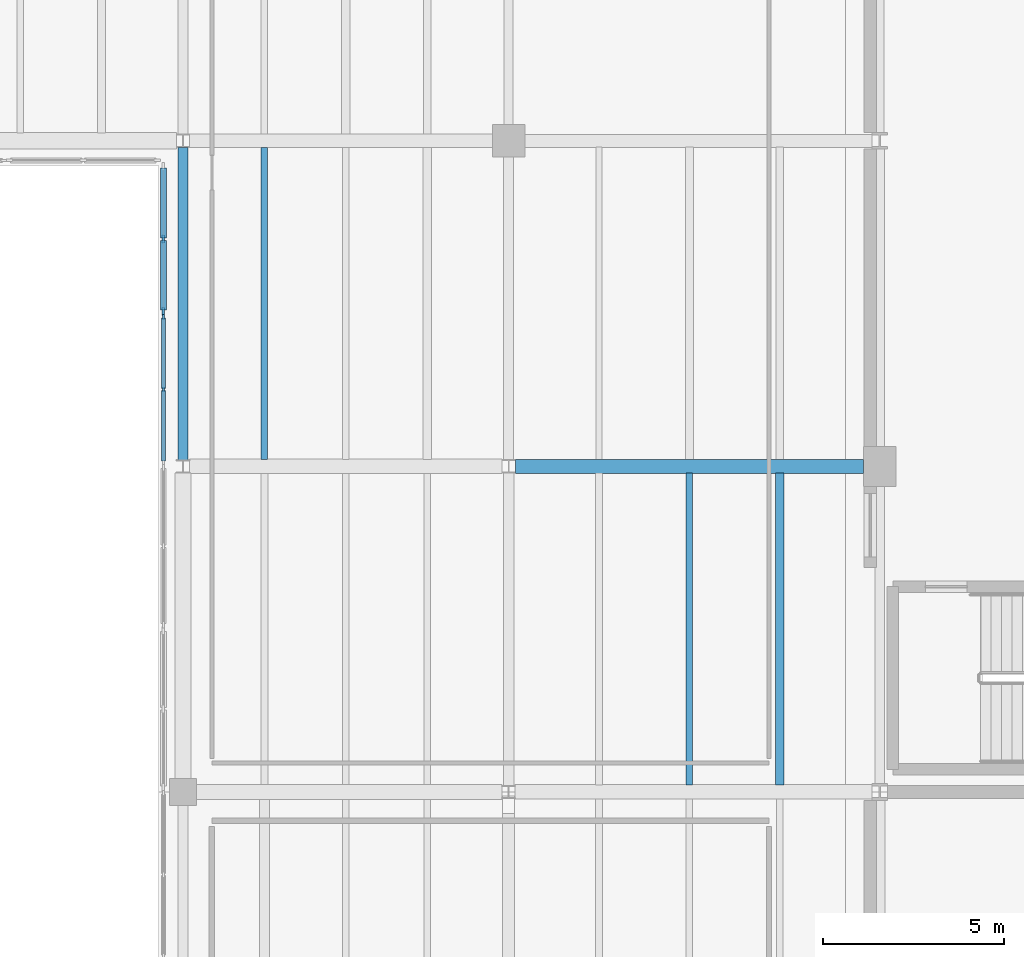
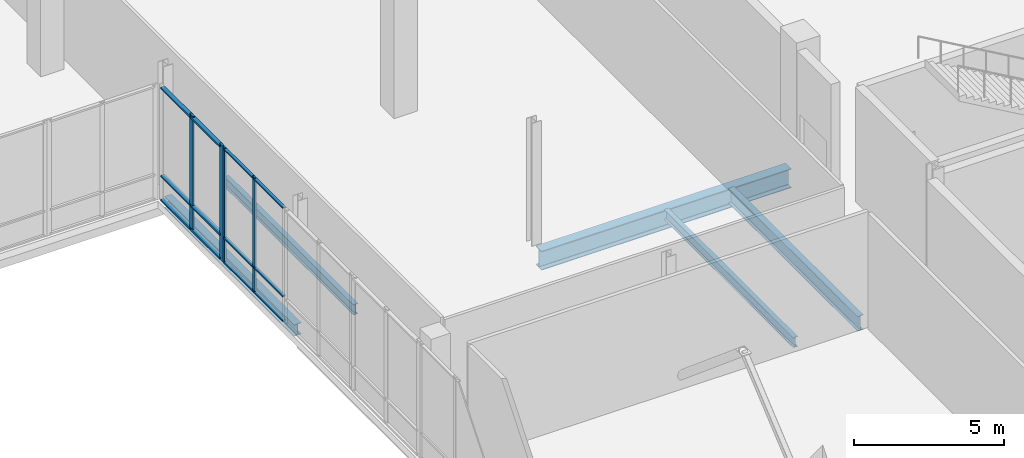
# One storey, part 27 of 60: 16 members, 5 beams, 2 elements without a shape of their own.
"""IFC4 building model written with IfcOpenShell, lengths in metres."""

from ifc_helpers import new_model, si_unit, direction, frame, origin, origin_2d, place, context, subcontext, project, spatial, rectangle, i_section, extrude, material, material_profile, profile_set, type_object, element, aggregate, save


model = new_model("IFC4")

# Units and contexts
model_context = context("Model", 3, precision=1e-05, world=origin(), true_north=direction((0.0, 1.0)))
body_context = subcontext(model_context, "Body", "Model", "MODEL_VIEW")
ifc_project = project(units=[si_unit("LENGTHUNIT", "METRE"), si_unit("AREAUNIT", "SQUARE_METRE"), si_unit("VOLUMEUNIT", "CUBIC_METRE"), si_unit("PLANEANGLEUNIT", "RADIAN"), si_unit("MASSUNIT", "GRAM", prefix="KILO")], contexts=[model_context])

# Site, building, storey
site_placement = place(None, origin())
site = spatial("IfcSite", under=ifc_project, at=site_placement, CompositionType="ELEMENT")
building_placement = place(site_placement, origin())
building = spatial("IfcBuilding", under=site, at=building_placement, Name="Trimount Lyric Opera House", CompositionType="ELEMENT")
storey_placement = place(building_placement, frame((0.0, 0.0, 15.0)))
storey = spatial("IfcBuildingStorey", under=building, at=storey_placement, Name="L03", CompositionType="ELEMENT", Elevation=15.0)

# Beams
ifc_material_1 = material(Name="Steel ASTM A992 Grade 50", Category="steel")
ifc_material_profile_1 = material_profile(ifc_material_1, i_section(OverallWidth=0.382080078125, OverallDepth=0.779052734375, WebThickness=0.01806640625, FlangeThickness=0.0302734375, FilletRadius=0.01904296875, at=origin_2d()), Name="W30X191")
ifc_profile_set_1 = profile_set([ifc_material_profile_1], Name="Steel ASTM A992 Grade 50")
beam_type_1 = type_object("IfcBeamType", Name="B-06", PredefinedType="BEAM", material=ifc_profile_set_1)
beam_1_placement = place(storey_placement, frame((54.1865234375, 93.0, -0.714599609375), z_axis=(1.0, 0.0, 0.0), x_axis=(0.0, 1.0, 0.0)))
element("IfcBeam", 1, at=beam_1_placement, inside=storey, type_object=beam_type_1, Name="L03 girder X-0995", PredefinedType="BEAM", context=body_context, shape_type="SweptSolid", body=[
    extrude(i_section(OverallWidth=0.382080078125, OverallDepth=0.779052734375, WebThickness=0.01806640625, FlangeThickness=0.0302734375, FilletRadius=0.01904296875, at=origin_2d()), origin(), (0.0, 0.0, 1.0), 9.62353515625),
])
ifc_material_2 = material(Name="Steel ASTM A992 Grade 50", Category="steel")
ifc_material_profile_2 = material_profile(ifc_material_2, i_section(OverallWidth=0.22802734375, OverallDepth=0.60205078125, WebThickness=0.010498046875, FlangeThickness=0.014892578125, FilletRadius=0.012939453125, at=origin_2d()), Name="W24X68")
ifc_profile_set_2 = profile_set([ifc_material_profile_2], Name="Steel ASTM A992 Grade 50")
beam_type_2 = type_object("IfcBeamType", Name="J-01", PredefinedType="BEAM", material=ifc_profile_set_2)
beam_2_placement = place(storey_placement, frame((61.5, 84.196533203125, -0.5810546875), z_axis=(0.0, 1.0, 0.0), x_axis=(-1.0, 0.0, 0.0)))
element("IfcBeam", 2, at=beam_2_placement, inside=storey, type_object=beam_type_2, Name="L03 composite floor joist 1070", PredefinedType="BEAM", context=body_context, shape_type="SweptSolid", body=[
    extrude(i_section(OverallWidth=0.22802734375, OverallDepth=0.60205078125, WebThickness=0.010498046875, FlangeThickness=0.014892578125, FilletRadius=0.012939453125, at=origin_2d()), origin(), (0.0, 0.0, 1.0), 8.616455078125),
])
ifc_material_3 = material(Name="Steel ASTM A992 Grade 50", Category="steel")
ifc_material_profile_3 = material_profile(ifc_material_3, i_section(OverallWidth=0.180908203125, OverallDepth=0.4169921875, WebThickness=0.010986328125, FlangeThickness=0.018310546875, FilletRadius=0.010986328125, at=origin_2d()), Name="W16X57")
ifc_profile_set_3 = profile_set([ifc_material_profile_3], Name="Steel ASTM A992 Grade 50")
beam_type_3 = type_object("IfcBeamType", Name="J-05", PredefinedType="BEAM", material=ifc_profile_set_3)
beam_3_placement = place(storey_placement, frame((47.25, 93.196533203125, -0.488525390625), z_axis=(0.0, 1.0, 0.0), x_axis=(-1.0, 0.0, 0.0)))
element("IfcBeam", 3, at=beam_3_placement, inside=storey, type_object=beam_type_3, Name="L03 composite floor joist 1050", PredefinedType="BEAM", context=body_context, shape_type="SweptSolid", body=[
    extrude(i_section(OverallWidth=0.180908203125, OverallDepth=0.4169921875, WebThickness=0.010986328125, FlangeThickness=0.018310546875, FilletRadius=0.010986328125, at=origin_2d()), origin(), (0.0, 0.0, 1.0), 8.616455078125),
])
ifc_material_4 = material(Name="Steel ASTM A992 Grade 50", Category="steel")
ifc_material_profile_4 = material_profile(ifc_material_4, i_section(OverallWidth=0.177978515625, OverallDepth=0.404052734375, WebThickness=0.007568359375, FlangeThickness=0.010986328125, FilletRadius=0.010009765625, at=origin_2d()), Name="W16X36")
ifc_profile_set_4 = profile_set([ifc_material_profile_4], Name="Steel ASTM A992 Grade 50")
beam_type_4 = type_object("IfcBeamType", Name="J-06", PredefinedType="BEAM", material=ifc_profile_set_4)
beam_4_placement = place(storey_placement, frame((59.0, 84.196533203125, -0.48193359375), z_axis=(0.0, 1.0, 0.0), x_axis=(-1.0, 0.0, 0.0)))
element("IfcBeam", 4, at=beam_4_placement, inside=storey, type_object=beam_type_4, Name="L03 composite floor joist 1069", PredefinedType="BEAM", context=body_context, shape_type="SweptSolid", body=[
    extrude(i_section(OverallWidth=0.177978515625, OverallDepth=0.404052734375, WebThickness=0.007568359375, FlangeThickness=0.010986328125, FilletRadius=0.010009765625, at=origin_2d()), origin(), (0.0, 0.0, 1.0), 8.616455078125),
])

# Curtain wall, members
ifc_material_5 = material(Name="Thermally Broken Aluminium and Low-E Glass", Category="aluminium")
curtain_wall_type = type_object("IfcCurtainWallType", Name="CW-03", PredefinedType="NOTDEFINED", material=ifc_material_5)
curtain_wall_1_placement = place(storey_placement, origin())
curtain_wall_1 = element("IfcCurtainWall", 5, at=curtain_wall_1_placement, inside=storey, type_object=curtain_wall_type, Name="L03 curtain wall 282", PredefinedType="NOTDEFINED")
ifc_material_6 = material(Name="Anodised Aluminium 6063-T6", Category="aluminium")
ifc_material_profile_5 = material_profile(ifc_material_6, rectangle(XDim=0.070068359375, YDim=0.219970703125, at=origin_2d()), Name="ALU-MULL-70X220")
ifc_profile_set_5 = profile_set([ifc_material_profile_5], Name="Anodised Aluminium 6063-T6")
member_type_1 = type_object("IfcMemberType", Name="ML-01", PredefinedType="MULLION", material=ifc_profile_set_5)
member_1_placement = place(storey_placement, frame((44.4599609375, 97.284912109375, 0.0), z_axis=(0.0, 0.0, 1.0), x_axis=(-1.0, 0.0, 0.0)))
member_1 = element("IfcMember", 6, at=member_1_placement, type_object=member_type_1, Name="CW-03 mullion 1", PredefinedType="MULLION", context=body_context, shape_type="SweptSolid", body=[
    extrude(rectangle(XDim=0.070068359375, YDim=0.219970703125, at=origin_2d()), origin(), (0.0, 0.0, 1.0), 4.719970703125),
])
member_2_placement = place(storey_placement, frame((44.4599609375, 99.284912109375, 0.0), z_axis=(0.0, 0.0, 1.0), x_axis=(-1.0, 0.0, 0.0)))
member_2 = element("IfcMember", 7, at=member_2_placement, type_object=member_type_1, Name="CW-03 mullion 2", PredefinedType="MULLION", context=body_context, shape_type="SweptSolid", body=[
    extrude(rectangle(XDim=0.070068359375, YDim=0.219970703125, at=origin_2d()), origin(), (0.0, 0.0, 1.0), 4.719970703125),
])

curtain_wall_2_placement = place(storey_placement, origin())
curtain_wall_2 = element("IfcCurtainWall", 8, at=curtain_wall_2_placement, inside=storey, type_object=curtain_wall_type, Name="L03 curtain wall 281", PredefinedType="NOTDEFINED")
ifc_material_7 = material(Name="Anodised Aluminium 6063-T6", Category="aluminium")
ifc_material_profile_6 = material_profile(ifc_material_7, rectangle(XDim=0.06005859375, YDim=0.14990234375, at=origin_2d()), Name="ALU-MULL-60X150")
ifc_profile_set_6 = profile_set([ifc_material_profile_6], Name="Anodised Aluminium 6063-T6")
member_type_2 = type_object("IfcMemberType", Name="ML-03", PredefinedType="MULLION", material=ifc_profile_set_6)
member_3_placement = place(storey_placement, frame((44.4599609375, 95.125, 0.0), z_axis=(0.0, 0.0, 1.0), x_axis=(-1.0, 0.0, 0.0)))
member_3 = element("IfcMember", 9, at=member_3_placement, type_object=member_type_2, Name="CW-03 mullion 2", PredefinedType="MULLION", context=body_context, shape_type="SweptSolid", body=[
    extrude(rectangle(XDim=0.06005859375, YDim=0.14990234375, at=origin_2d()), origin(), (0.0, 0.0, 1.0), 4.719970703125),
])
member_4_placement = place(storey_placement, frame((44.4599609375, 97.1298828125, 0.0), z_axis=(0.0, 0.0, 1.0), x_axis=(-1.0, 0.0, 0.0)))
member_4 = element("IfcMember", 10, at=member_4_placement, type_object=member_type_2, Name="CW-03 mullion 3", PredefinedType="MULLION", context=body_context, shape_type="SweptSolid", body=[
    extrude(rectangle(XDim=0.06005859375, YDim=0.14990234375, at=origin_2d()), origin(), (0.0, 0.0, 1.0), 4.719970703125),
])

# Beam
ifc_material_8 = material(Name="Steel ASTM A992 Grade 50", Category="steel")
ifc_material_profile_7 = material_profile(ifc_material_8, i_section(OverallWidth=0.281982421875, OverallDepth=0.467041015625, WebThickness=0.01220703125, FlangeThickness=0.01953125, FilletRadius=0.012939453125, at=origin_2d()), Name="W18X86")
ifc_profile_set_7 = profile_set([ifc_material_profile_7], Name="Steel ASTM A992 Grade 50")
beam_type_5 = type_object("IfcBeamType", Name="SP-01", PredefinedType="SPANDREL", material=ifc_profile_set_7)
beam_5_placement = place(storey_placement, frame((45.0, 93.177978515625, -0.513427734375), z_axis=(0.0, 1.0, 0.0), x_axis=(-1.0, 0.0, 0.0)))
element("IfcBeam", 11, at=beam_5_placement, inside=storey, type_object=beam_type_5, Name="L03 girder Y-1061", PredefinedType="SPANDREL", context=body_context, shape_type="SweptSolid", body=[
    extrude(i_section(OverallWidth=0.281982421875, OverallDepth=0.467041015625, WebThickness=0.01220703125, FlangeThickness=0.01953125, FilletRadius=0.012939453125, at=origin_2d()), origin(), (0.0, 0.0, 1.0), 8.637939453125),
])

# Member
ifc_material_9 = material(Name="Anodised Aluminium 6063-T6", Category="aluminium")
ifc_material_profile_8 = material_profile(ifc_material_9, rectangle(XDim=0.159912109375, YDim=0.070068359375, at=origin_2d()), Name="ALU-TRAN-70X160")
ifc_profile_set_8 = profile_set([ifc_material_profile_8], Name="Anodised Aluminium 6063-T6")
member_type_3 = type_object("IfcMemberType", Name="TR-01", PredefinedType="USERDEFINED", material=ifc_profile_set_8)
member_5_placement = place(storey_placement, frame((44.4599609375, 97.320068359375, 0.080078125), z_axis=(0.0, 1.0, 0.0), x_axis=(-1.0, 0.0, 0.0)))
member_5 = element("IfcMember", 12, at=member_5_placement, type_object=member_type_3, Name="CW-03 transom 1.1", ObjectType="TRANSOM", PredefinedType="USERDEFINED", context=body_context, shape_type="SweptSolid", body=[
    extrude(rectangle(XDim=0.159912109375, YDim=0.070068359375, at=origin_2d()), origin(), (0.0, 0.0, 1.0), 1.929931640625),
])

member_6_placement = place(storey_placement, frame((44.4599609375, 97.320068359375, 1.050048828125), z_axis=(0.0, 1.0, 0.0), x_axis=(-1.0, 0.0, 0.0)))
member_6 = element("IfcMember", 13, at=member_6_placement, type_object=member_type_3, Name="CW-03 transom 1.2", ObjectType="TRANSOM", PredefinedType="USERDEFINED", context=body_context, shape_type="SweptSolid", body=[
    extrude(rectangle(XDim=0.159912109375, YDim=0.070068359375, at=origin_2d()), origin(), (0.0, 0.0, 1.0), 1.929931640625),
])

member_7_placement = place(storey_placement, frame((44.4599609375, 97.320068359375, 4.639892578125), z_axis=(0.0, 1.0, 0.0), x_axis=(-1.0, 0.0, 0.0)))
member_7 = element("IfcMember", 14, at=member_7_placement, type_object=member_type_3, Name="CW-03 transom 1.3", ObjectType="TRANSOM", PredefinedType="USERDEFINED", context=body_context, shape_type="SweptSolid", body=[
    extrude(rectangle(XDim=0.159912109375, YDim=0.070068359375, at=origin_2d()), origin(), (0.0, 0.0, 1.0), 1.929931640625),
])

member_8_placement = place(storey_placement, frame((44.4599609375, 99.320068359375, 0.080078125), z_axis=(0.0, 1.0, 0.0), x_axis=(-1.0, 0.0, 0.0)))
member_8 = element("IfcMember", 15, at=member_8_placement, type_object=member_type_3, Name="CW-03 transom 2.1", ObjectType="TRANSOM", PredefinedType="USERDEFINED", context=body_context, shape_type="SweptSolid", body=[
    extrude(rectangle(XDim=0.159912109375, YDim=0.070068359375, at=origin_2d()), origin(), (0.0, 0.0, 1.0), 1.929931640625),
])

member_9_placement = place(storey_placement, frame((44.4599609375, 99.320068359375, 1.050048828125), z_axis=(0.0, 1.0, 0.0), x_axis=(-1.0, 0.0, 0.0)))
member_9 = element("IfcMember", 16, at=member_9_placement, type_object=member_type_3, Name="CW-03 transom 2.2", ObjectType="TRANSOM", PredefinedType="USERDEFINED", context=body_context, shape_type="SweptSolid", body=[
    extrude(rectangle(XDim=0.159912109375, YDim=0.070068359375, at=origin_2d()), origin(), (0.0, 0.0, 1.0), 1.929931640625),
])

member_10_placement = place(storey_placement, frame((44.4599609375, 99.320068359375, 4.639892578125), z_axis=(0.0, 1.0, 0.0), x_axis=(-1.0, 0.0, 0.0)))
member_10 = element("IfcMember", 17, at=member_10_placement, type_object=member_type_3, Name="CW-03 transom 2.3", ObjectType="TRANSOM", PredefinedType="USERDEFINED", context=body_context, shape_type="SweptSolid", body=[
    extrude(rectangle(XDim=0.159912109375, YDim=0.070068359375, at=origin_2d()), origin(), (0.0, 0.0, 1.0), 1.929931640625),
])

aggregate(curtain_wall_1, [member_1, member_2, member_5, member_6, member_7, member_8, member_9, member_10])

ifc_material_10 = material(Name="Anodised Aluminium 6063-T6", Category="aluminium")
ifc_material_profile_9 = material_profile(ifc_material_10, rectangle(XDim=0.114990234375, YDim=0.06005859375, at=origin_2d()), Name="ALU-TRAN-60X115")
ifc_profile_set_9 = profile_set([ifc_material_profile_9], Name="Anodised Aluminium 6063-T6")
member_type_4 = type_object("IfcMemberType", Name="TR-03", PredefinedType="USERDEFINED", material=ifc_profile_set_9)
member_11_placement = place(storey_placement, frame((44.4599609375, 93.14990234375, 0.0576171875), z_axis=(0.0, 1.0, 0.0), x_axis=(-1.0, 0.0, 0.0)))
member_11 = element("IfcMember", 18, at=member_11_placement, type_object=member_type_4, Name="CW-03 transom 1.1", ObjectType="TRANSOM", PredefinedType="USERDEFINED", context=body_context, shape_type="SweptSolid", body=[
    extrude(rectangle(XDim=0.114990234375, YDim=0.06005859375, at=origin_2d()), origin(), (0.0, 0.0, 1.0), 1.945068359375),
])

member_12_placement = place(storey_placement, frame((44.4599609375, 93.14990234375, 1.050048828125), z_axis=(0.0, 1.0, 0.0), x_axis=(-1.0, 0.0, 0.0)))
member_12 = element("IfcMember", 19, at=member_12_placement, type_object=member_type_4, Name="CW-03 transom 1.2", ObjectType="TRANSOM", PredefinedType="USERDEFINED", context=body_context, shape_type="SweptSolid", body=[
    extrude(rectangle(XDim=0.114990234375, YDim=0.06005859375, at=origin_2d()), origin(), (0.0, 0.0, 1.0), 1.945068359375),
])

member_13_placement = place(storey_placement, frame((44.4599609375, 93.14990234375, 4.66259765625), z_axis=(0.0, 1.0, 0.0), x_axis=(-1.0, 0.0, 0.0)))
member_13 = element("IfcMember", 20, at=member_13_placement, type_object=member_type_4, Name="CW-03 transom 1.3", ObjectType="TRANSOM", PredefinedType="USERDEFINED", context=body_context, shape_type="SweptSolid", body=[
    extrude(rectangle(XDim=0.114990234375, YDim=0.06005859375, at=origin_2d()), origin(), (0.0, 0.0, 1.0), 1.945068359375),
])

member_14_placement = place(storey_placement, frame((44.4599609375, 95.155029296875, 0.0576171875), z_axis=(0.0, 1.0, 0.0), x_axis=(-1.0, 0.0, 0.0)))
member_14 = element("IfcMember", 21, at=member_14_placement, type_object=member_type_4, Name="CW-03 transom 2.1", ObjectType="TRANSOM", PredefinedType="USERDEFINED", context=body_context, shape_type="SweptSolid", body=[
    extrude(rectangle(XDim=0.114990234375, YDim=0.06005859375, at=origin_2d()), origin(), (0.0, 0.0, 1.0), 1.945068359375),
])

member_15_placement = place(storey_placement, frame((44.4599609375, 95.155029296875, 1.050048828125), z_axis=(0.0, 1.0, 0.0), x_axis=(-1.0, 0.0, 0.0)))
member_15 = element("IfcMember", 22, at=member_15_placement, type_object=member_type_4, Name="CW-03 transom 2.2", ObjectType="TRANSOM", PredefinedType="USERDEFINED", context=body_context, shape_type="SweptSolid", body=[
    extrude(rectangle(XDim=0.114990234375, YDim=0.06005859375, at=origin_2d()), origin(), (0.0, 0.0, 1.0), 1.945068359375),
])

member_16_placement = place(storey_placement, frame((44.4599609375, 95.155029296875, 4.66259765625), z_axis=(0.0, 1.0, 0.0), x_axis=(-1.0, 0.0, 0.0)))
member_16 = element("IfcMember", 23, at=member_16_placement, type_object=member_type_4, Name="CW-03 transom 2.3", ObjectType="TRANSOM", PredefinedType="USERDEFINED", context=body_context, shape_type="SweptSolid", body=[
    extrude(rectangle(XDim=0.114990234375, YDim=0.06005859375, at=origin_2d()), origin(), (0.0, 0.0, 1.0), 1.945068359375),
])

aggregate(curtain_wall_2, [member_3, member_4, member_11, member_12, member_13, member_14, member_15, member_16])

save(model, "model.ifc")
